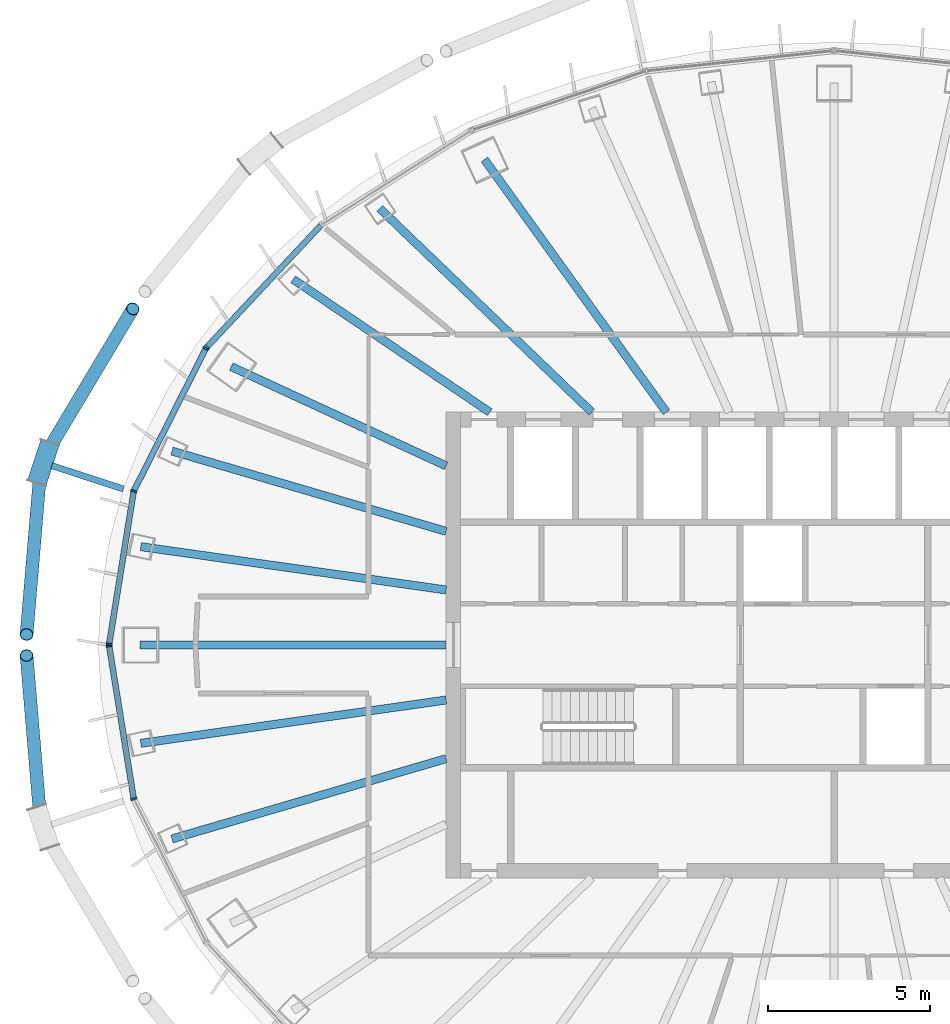
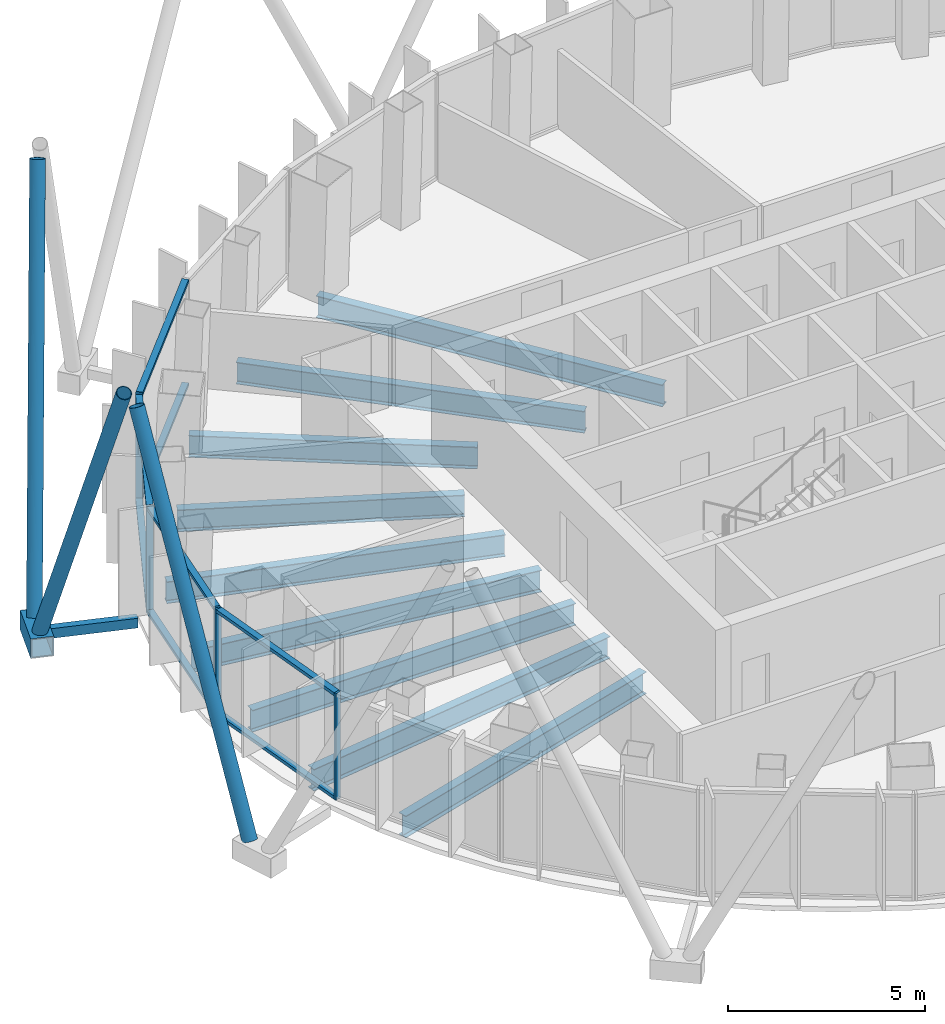
# One storey, part 3 of 18: 19 members, 9 beams, 3 elements without a shape of their own.
"""IFC4 building model written with IfcOpenShell, lengths in metres."""

from ifc_helpers import new_model, si_unit, direction, frame, origin, origin_2d, place, context, subcontext, project, spatial, rectangle, hollow_rectangle, hollow_circle, i_section, extrude, material, layer, layer_set, material_profile, profile_set, type_object, element, aggregate, save


model = new_model("IFC4")

# Units and contexts
model_context = context("Model", 3, precision=1e-05, world=origin(), true_north=direction((0.0, 1.0)))
body_context = subcontext(model_context, "Body", "Model", "MODEL_VIEW")
ifc_project = project(units=[si_unit("LENGTHUNIT", "METRE"), si_unit("AREAUNIT", "SQUARE_METRE"), si_unit("VOLUMEUNIT", "CUBIC_METRE"), si_unit("PLANEANGLEUNIT", "RADIAN"), si_unit("MASSUNIT", "GRAM", prefix="KILO")], contexts=[model_context])

# Site, building, storey
site_placement = place(None, origin())
site = spatial("IfcSite", under=ifc_project, at=site_placement, CompositionType="ELEMENT")
building_placement = place(site_placement, origin())
building = spatial("IfcBuilding", under=site, at=building_placement, Name="Siaravel Broadcast Tower", CompositionType="ELEMENT")
storey_placement = place(building_placement, frame((0.0, 0.0, 201.5)))
storey = spatial("IfcBuildingStorey", under=building, at=storey_placement, Name="L49", CompositionType="ELEMENT", Elevation=201.5)

# Beams
ifc_material_1 = material(Name="Steel S355", Category="steel")
ifc_material_profile_1 = material_profile(ifc_material_1, i_section(OverallWidth=0.2529296875, OverallDepth=0.677978515625, WebThickness=0.01171875, FlangeThickness=0.01611328125, FilletRadius=0.01513671875, at=origin_2d()))
ifc_profile_set_1 = profile_set([ifc_material_profile_1], Name="Steel S355")
beam_type = type_object("IfcBeamType", Name="BM-UB 686x254x125", PredefinedType="BEAM", material=ifc_profile_set_1)
beam_1_placement = place(storey_placement, frame((-10.813720703125, 15.014892578125, -0.489013671875), z_axis=(0.584401555, -0.811464616, 0.0), x_axis=(0.811464616, 0.584401555, 0.0)))
element("IfcBeam", 1, at=beam_1_placement, inside=storey, type_object=beam_type, Name="Radial beam RB13", PredefinedType="BEAM", context=body_context, shape_type="SweptSolid", body=[
    extrude(i_section(OverallWidth=0.2529296875, OverallDepth=0.677978515625, WebThickness=0.01171875, FlangeThickness=0.01611328125, FilletRadius=0.01513671875, at=origin_2d()), origin(), (0.0, 0.0, 1.0), 9.630615234375),
])
beam_2_placement = place(storey_placement, frame((-14.053466796875, 13.501708984375, -0.489013671875), z_axis=(0.721123378, -0.692806664, 0.0), x_axis=(0.692806664, 0.721123378, 0.0)))
element("IfcBeam", 2, at=beam_2_placement, inside=storey, type_object=beam_type, Name="Radial beam RB14", PredefinedType="BEAM", context=body_context, shape_type="SweptSolid", body=[
    extrude(i_section(OverallWidth=0.2529296875, OverallDepth=0.677978515625, WebThickness=0.01171875, FlangeThickness=0.01611328125, FilletRadius=0.01513671875, at=origin_2d()), origin(), (0.0, 0.0, 1.0), 9.095947265625),
])
beam_3_placement = place(storey_placement, frame((-16.7294921875, 11.31005859375, -0.489013671875), z_axis=(0.82844504, -0.560070366, 0.0), x_axis=(0.560070366, 0.82844504, 0.0)))
element("IfcBeam", 3, at=beam_3_placement, inside=storey, type_object=beam_type, Name="Radial beam RB15", PredefinedType="BEAM", context=body_context, shape_type="SweptSolid", body=[
    extrude(i_section(OverallWidth=0.2529296875, OverallDepth=0.677978515625, WebThickness=0.01171875, FlangeThickness=0.01611328125, FilletRadius=0.01513671875, at=origin_2d()), origin(), (0.0, 0.0, 1.0), 7.338623046875),
])
beam_4_placement = place(storey_placement, frame((-18.6455078125, 8.609130859375, -0.489013671875), z_axis=(0.907896897, -0.419193541, 0.0), x_axis=(0.419193541, 0.907896897, 0.0)))
element("IfcBeam", 4, at=beam_4_placement, inside=storey, type_object=beam_type, Name="Radial beam RB16", PredefinedType="BEAM", context=body_context, shape_type="SweptSolid", body=[
    extrude(i_section(OverallWidth=0.2529296875, OverallDepth=0.677978515625, WebThickness=0.01171875, FlangeThickness=0.01611328125, FilletRadius=0.01513671875, at=origin_2d()), origin(), (0.0, 0.0, 1.0), 7.319580078125),
])
beam_5_placement = place(storey_placement, frame((-20.47607421875, 5.997802734375, -0.489013671875), z_axis=(0.95967304, -0.281118579, 0.0), x_axis=(0.281118579, 0.95967304, 0.0)))
element("IfcBeam", 5, at=beam_5_placement, inside=storey, type_object=beam_type, Name="Radial beam RB17", PredefinedType="BEAM", context=body_context, shape_type="SweptSolid", body=[
    extrude(i_section(OverallWidth=0.2529296875, OverallDepth=0.677978515625, WebThickness=0.01171875, FlangeThickness=0.01611328125, FilletRadius=0.01513671875, at=origin_2d()), origin(), (0.0, 0.0, 1.0), 8.832275390625),
])
beam_6_placement = place(storey_placement, frame((-21.443359375, 3.041748046875, -0.489013671875), z_axis=(0.990087752, -0.140450142, 0.0), x_axis=(0.140450142, 0.990087752, 0.0)))
element("IfcBeam", 6, at=beam_6_placement, inside=storey, type_object=beam_type, Name="Radial beam RB18", PredefinedType="BEAM", context=body_context, shape_type="SweptSolid", body=[
    extrude(i_section(OverallWidth=0.2529296875, OverallDepth=0.677978515625, WebThickness=0.01171875, FlangeThickness=0.01611328125, FilletRadius=0.01513671875, at=origin_2d()), origin(), (0.0, 0.0, 1.0), 9.537841796875),
])
beam_7_placement = place(storey_placement, frame((-21.46826171875, 0.0, -0.489013671875), z_axis=(1.0, 0.0, 0.0), x_axis=(0.0, 1.0, 0.0)))
element("IfcBeam", 7, at=beam_7_placement, inside=storey, type_object=beam_type, Name="Radial beam RB19", PredefinedType="BEAM", context=body_context, shape_type="SweptSolid", body=[
    extrude(i_section(OverallWidth=0.2529296875, OverallDepth=0.677978515625, WebThickness=0.01171875, FlangeThickness=0.01611328125, FilletRadius=0.01513671875, at=origin_2d()), origin(), (0.0, 0.0, 1.0), 9.46826171875),
])
beam_8_placement = place(storey_placement, frame((-21.443359375, -3.041748046875, -0.489013671875), z_axis=(0.990087752, 0.140450142, 0.0), x_axis=(-0.140450142, 0.990087752, 0.0)))
element("IfcBeam", 8, at=beam_8_placement, inside=storey, type_object=beam_type, Name="Radial beam RB20", PredefinedType="BEAM", context=body_context, shape_type="SweptSolid", body=[
    extrude(i_section(OverallWidth=0.2529296875, OverallDepth=0.677978515625, WebThickness=0.01171875, FlangeThickness=0.01611328125, FilletRadius=0.01513671875, at=origin_2d()), origin(), (0.0, 0.0, 1.0), 9.537841796875),
])
beam_9_placement = place(storey_placement, frame((-20.47607421875, -5.997802734375, -0.489013671875), z_axis=(0.95967304, 0.281118579, 0.0), x_axis=(-0.281118579, 0.95967304, 0.0)))
element("IfcBeam", 9, at=beam_9_placement, inside=storey, type_object=beam_type, Name="Radial beam RB21", PredefinedType="BEAM", context=body_context, shape_type="SweptSolid", body=[
    extrude(i_section(OverallWidth=0.2529296875, OverallDepth=0.677978515625, WebThickness=0.01171875, FlangeThickness=0.01611328125, FilletRadius=0.01513671875, at=origin_2d()), origin(), (0.0, 0.0, 1.0), 8.832275390625),
])

# Curtain wall, member
ifc_material_2 = material(Name="Aluminium 6063-T6", Category="aluminium")
ifc_layer = layer(ifc_material_2, 0.179931640625)
ifc_layer_set = layer_set([ifc_layer], Name="Aluminium 6063-T6")
curtain_wall_type = type_object("IfcCurtainWallType", Name="Unitised curtain wall, zone 3", PredefinedType="NOTDEFINED", material=ifc_layer_set)
curtain_wall_1_placement = place(storey_placement, origin())
curtain_wall_1 = element("IfcCurtainWall", 10, at=curtain_wall_1_placement, inside=storey, type_object=curtain_wall_type, Name="L49 Unitised curtain wall, zone 3 05", PredefinedType="NOTDEFINED")
ifc_material_profile_2 = material_profile(ifc_material_2, rectangle(XDim=0.179931640625, YDim=0.06005859375, at=origin_2d()))
ifc_profile_set_2 = profile_set([ifc_material_profile_2], Name="Aluminium 6063-T6")
member_type_1 = type_object("IfcMemberType", Name="CW-Z3 mullion", PredefinedType="MULLION", material=ifc_profile_set_2)
member_1_placement = place(storey_placement, frame((-19.398681640625, 9.215087890625, 0.0), z_axis=(0.0, 0.0, 1.0), x_axis=(0.729807165, -0.683653057, 0.0)))
member_1 = element("IfcMember", 11, at=member_1_placement, type_object=member_type_1, Name="CW-Z3 mullion 3", PredefinedType="MULLION", context=body_context, shape_type="SweptSolid", body=[
    extrude(rectangle(XDim=0.179931640625, YDim=0.06005859375, at=origin_2d()), origin(), (0.0, 0.0, 1.0), 3.300048828125),
])

# Curtain wall, members
curtain_wall_2_placement = place(storey_placement, origin())
curtain_wall_2 = element("IfcCurtainWall", 12, at=curtain_wall_2_placement, inside=storey, type_object=curtain_wall_type, Name="L49 Unitised curtain wall, zone 3 06", PredefinedType="NOTDEFINED")
member_2_placement = place(storey_placement, frame((-19.4326171875, 9.166259765625, 0.0), z_axis=(0.0, 0.0, 1.0), x_axis=(0.892393176, -0.451258705, 0.0)))
member_2 = element("IfcMember", 13, at=member_2_placement, type_object=member_type_1, Name="CW-Z3 mullion 1", PredefinedType="MULLION", context=body_context, shape_type="SweptSolid", body=[
    extrude(rectangle(XDim=0.179931640625, YDim=0.06005859375, at=origin_2d()), origin(), (0.0, 0.0, 1.0), 3.300048828125),
])
member_3_placement = place(storey_placement, frame((-21.6611328125, 4.75927734375, 0.0), z_axis=(0.0, 0.0, 1.0), x_axis=(0.951177741, -0.308643655, 0.0)))
member_3 = element("IfcMember", 14, at=member_3_placement, type_object=member_type_1, Name="CW-Z3 mullion 2", PredefinedType="MULLION", context=body_context, shape_type="SweptSolid", body=[
    extrude(rectangle(XDim=0.179931640625, YDim=0.06005859375, at=origin_2d()), origin(), (0.0, 0.0, 1.0), 3.300048828125),
])
member_4_placement = place(storey_placement, frame((-22.42138671875, 0.029541015625, 0.0), z_axis=(0.0, 0.0, 1.0), x_axis=(0.987329337, -0.158684528, 0.0)))
member_4 = element("IfcMember", 15, at=member_4_placement, type_object=member_type_1, Name="CW-Z3 mullion 3", PredefinedType="MULLION", context=body_context, shape_type="SweptSolid", body=[
    extrude(rectangle(XDim=0.179931640625, YDim=0.06005859375, at=origin_2d()), origin(), (0.0, 0.0, 1.0), 3.300048828125),
])

curtain_wall_3_placement = place(storey_placement, origin())
curtain_wall_3 = element("IfcCurtainWall", 16, at=curtain_wall_3_placement, inside=storey, type_object=curtain_wall_type, Name="L49 Unitised curtain wall, zone 3 07", PredefinedType="NOTDEFINED")
member_5_placement = place(storey_placement, frame((-22.42138671875, -0.029541015625, 0.0), z_axis=(0.0, 0.0, 1.0), x_axis=(0.987329337, 0.158684528, 0.0)))
member_5 = element("IfcMember", 17, at=member_5_placement, type_object=member_type_1, Name="CW-Z3 mullion 1", PredefinedType="MULLION", context=body_context, shape_type="SweptSolid", body=[
    extrude(rectangle(XDim=0.179931640625, YDim=0.06005859375, at=origin_2d()), origin(), (0.0, 0.0, 1.0), 3.300048828125),
])
member_6_placement = place(storey_placement, frame((-21.6611328125, -4.75927734375, 0.0), z_axis=(0.0, 0.0, 1.0), x_axis=(0.951177741, 0.308643655, 0.0)))
member_6 = element("IfcMember", 18, at=member_6_placement, type_object=member_type_1, Name="CW-Z3 mullion 2", PredefinedType="MULLION", context=body_context, shape_type="SweptSolid", body=[
    extrude(rectangle(XDim=0.179931640625, YDim=0.06005859375, at=origin_2d()), origin(), (0.0, 0.0, 1.0), 3.300048828125),
])

# Member
ifc_material_profile_3 = material_profile(ifc_material_2, rectangle(XDim=0.179931640625, YDim=0.10009765625, at=origin_2d()))
ifc_profile_set_3 = profile_set([ifc_material_profile_3], Name="Aluminium 6063-T6")
member_type_2 = type_object("IfcMemberType", Name="CW-Z3 transom", PredefinedType="USERDEFINED", material=ifc_profile_set_3)
member_7_placement = place(storey_placement, frame((-15.87451171875, 12.97705078125, 0.050048828125), z_axis=(-0.683649503, -0.729810494, 0.0), x_axis=(0.729810494, -0.683649503, 0.0)))
member_7 = element("IfcMember", 19, at=member_7_placement, type_object=member_type_2, Name="CW-Z3 transom 2", ObjectType="TRANSOM", PredefinedType="USERDEFINED", context=body_context, shape_type="SweptSolid", body=[
    extrude(rectangle(XDim=0.179931640625, YDim=0.10009765625, at=origin_2d()), origin(), (0.0, 0.0, 1.0), 5.125),
])

member_8_placement = place(storey_placement, frame((-15.87451171875, 12.97705078125, 3.25), z_axis=(-0.683649503, -0.729810494, 0.0), x_axis=(0.729810494, -0.683649503, 0.0)))
member_8 = element("IfcMember", 20, at=member_8_placement, type_object=member_type_2, Name="CW-Z3 transom 2", ObjectType="TRANSOM", PredefinedType="USERDEFINED", context=body_context, shape_type="SweptSolid", body=[
    extrude(rectangle(XDim=0.179931640625, YDim=0.10009765625, at=origin_2d()), origin(), (0.0, 0.0, 1.0), 5.125),
])

aggregate(curtain_wall_1, [member_1, member_7, member_8])

member_9_placement = place(storey_placement, frame((-19.4462890625, 9.1396484375, 0.050048828125), z_axis=(-0.451252633, -0.892396247, 0.0), x_axis=(0.892396247, -0.451252633, 0.0)))
member_9 = element("IfcMember", 21, at=member_9_placement, type_object=member_type_2, Name="CW-Z3 transom 1", ObjectType="TRANSOM", PredefinedType="USERDEFINED", context=body_context, shape_type="SweptSolid", body=[
    extrude(rectangle(XDim=0.179931640625, YDim=0.10009765625, at=origin_2d()), origin(), (0.0, 0.0, 1.0), 4.87841796875),
])

member_10_placement = place(storey_placement, frame((-19.4462890625, 9.1396484375, 3.25), z_axis=(-0.451252633, -0.892396247, 0.0), x_axis=(0.892396247, -0.451252633, 0.0)))
member_10 = element("IfcMember", 22, at=member_10_placement, type_object=member_type_2, Name="CW-Z3 transom 1", ObjectType="TRANSOM", PredefinedType="USERDEFINED", context=body_context, shape_type="SweptSolid", body=[
    extrude(rectangle(XDim=0.179931640625, YDim=0.10009765625, at=origin_2d()), origin(), (0.0, 0.0, 1.0), 4.87841796875),
])

member_11_placement = place(storey_placement, frame((-21.666015625, 4.729736328125, 0.050048828125), z_axis=(-0.158646652, -0.987335424, 0.0), x_axis=(0.987335424, -0.158646652, 0.0)))
member_11 = element("IfcMember", 23, at=member_11_placement, type_object=member_type_2, Name="CW-Z3 transom 2", ObjectType="TRANSOM", PredefinedType="USERDEFINED", context=body_context, shape_type="SweptSolid", body=[
    extrude(rectangle(XDim=0.179931640625, YDim=0.10009765625, at=origin_2d()), origin(), (0.0, 0.0, 1.0), 4.73046875),
])

member_12_placement = place(storey_placement, frame((-21.666015625, 4.729736328125, 3.25), z_axis=(-0.158646652, -0.987335424, 0.0), x_axis=(0.987335424, -0.158646652, 0.0)))
member_12 = element("IfcMember", 24, at=member_12_placement, type_object=member_type_2, Name="CW-Z3 transom 2", ObjectType="TRANSOM", PredefinedType="USERDEFINED", context=body_context, shape_type="SweptSolid", body=[
    extrude(rectangle(XDim=0.179931640625, YDim=0.10009765625, at=origin_2d()), origin(), (0.0, 0.0, 1.0), 4.73046875),
])

aggregate(curtain_wall_2, [member_2, member_3, member_4, member_9, member_10, member_11, member_12])

member_13_placement = place(storey_placement, frame((-22.41650390625, -0.05908203125, 0.050048828125), z_axis=(0.158646652, -0.987335424, 0.0), x_axis=(0.987335424, 0.158646652, 0.0)))
member_13 = element("IfcMember", 25, at=member_13_placement, type_object=member_type_2, Name="CW-Z3 transom 1", ObjectType="TRANSOM", PredefinedType="USERDEFINED", context=body_context, shape_type="SweptSolid", body=[
    extrude(rectangle(XDim=0.179931640625, YDim=0.10009765625, at=origin_2d()), origin(), (0.0, 0.0, 1.0), 4.73046875),
])

member_14_placement = place(storey_placement, frame((-22.41650390625, -0.05908203125, 3.25), z_axis=(0.158646652, -0.987335424, 0.0), x_axis=(0.987335424, 0.158646652, 0.0)))
member_14 = element("IfcMember", 26, at=member_14_placement, type_object=member_type_2, Name="CW-Z3 transom 1", ObjectType="TRANSOM", PredefinedType="USERDEFINED", context=body_context, shape_type="SweptSolid", body=[
    extrude(rectangle(XDim=0.179931640625, YDim=0.10009765625, at=origin_2d()), origin(), (0.0, 0.0, 1.0), 4.73046875),
])

aggregate(curtain_wall_3, [member_5, member_6, member_13, member_14])

# Members
ifc_material_3 = material(Name="Steel S460", Category="steel")
ifc_material_profile_4 = material_profile(ifc_material_3, hollow_circle(Radius=0.203125, WallThickness=0.01611328125, at=origin_2d()))
ifc_profile_set_4 = profile_set([ifc_material_profile_4], Name="Steel S460")
member_type_3 = type_object("IfcMemberType", Name="Diagrid diagonal CHS 406.4x16", PredefinedType="BRACE", material=ifc_profile_set_4)
member_15_placement = place(storey_placement, frame((-24.355224609375, 5.941162109375, 0.070068359375), z_axis=(0.226514852, 0.378714243, 0.897366449), x_axis=(-0.858205618, 0.513306066, 0.0)))
element("IfcMember", 27, at=member_15_placement, inside=storey, type_object=member_type_3, Name="Diagrid diagonal R20 station 33C", PredefinedType="BRACE", context=body_context, shape_type="SweptSolid", body=[
    extrude(hollow_circle(Radius=0.203125, WallThickness=0.01611328125, at=origin_2d()), origin(), (0.0, 0.0, 1.0), 11.767578125),
])
for number, where, z_axis, x_axis, name in (
    (28, (-24.556396484375, 5.326171875, 0.070068359375), (-0.035893147, -0.427857173, 0.903133391), (0.996499658, -0.083596843, 0.0), "Diagrid diagonal R20 station 33A"),
    (29, (-24.556396484375, -5.326171875, 0.070068359375), (-0.035893147, 0.427857173, 0.903133391), (-0.996499658, -0.083596843, 0.0), "Diagrid diagonal R20 station 39C"),
):
    element("IfcMember", number, at=place(storey_placement, frame(where, z_axis=z_axis, x_axis=x_axis)), inside=storey, type_object=member_type_3, Name=name, PredefinedType="BRACE", context=body_context, shape_type="SweptSolid", body=[
        extrude(hollow_circle(Radius=0.203125, WallThickness=0.01611328125, at=origin_2d()), origin(), (0.0, 0.0, 1.0), 11.6923828125),
    ])
ifc_material_profile_5 = material_profile(ifc_material_3, hollow_rectangle(XDim=0.60009765625, YDim=0.60009765625, WallThickness=0.031982421875, at=origin_2d()))
ifc_profile_set_5 = profile_set([ifc_material_profile_5], Name="Steel S460")
member_type_4 = type_object("IfcMemberType", Name="Diagrid node BOX 600x600x32", PredefinedType="USERDEFINED", material=ifc_profile_set_5)
member_16_placement = place(storey_placement, frame((-24.2548828125, 6.248291015625, -0.199951171875), z_axis=(-0.310843783, -0.950461016, 0.0), x_axis=(0.950461016, -0.310843783, 0.0)))
element("IfcMember", 30, at=member_16_placement, inside=storey, type_object=member_type_4, Name="Diagrid node R20 station 33", ObjectType="DIAGRID NODE", PredefinedType="USERDEFINED", context=body_context, shape_type="SweptSolid", body=[
    extrude(hollow_rectangle(XDim=0.60009765625, YDim=0.60009765625, WallThickness=0.031982421875, at=origin_2d()), origin(), (0.0, 0.0, 1.0), 1.29345703125),
])
ifc_material_profile_6 = material_profile(ifc_material_3, hollow_rectangle(XDim=0.199951171875, YDim=0.300048828125, WallThickness=0.012451171875, at=origin_2d()))
ifc_profile_set_6 = profile_set([ifc_material_profile_6], Name="Steel S460")
member_type_5 = type_object("IfcMemberType", Name="Diagrid node arm RHS 300x200x12.5", PredefinedType="STRUT", material=ifc_profile_set_6)
member_17_placement = place(storey_placement, frame((-21.98486328125, 4.8251953125, -0.199951171875), z_axis=(-0.950439361, 0.310909987, 0.0), x_axis=(-0.310909987, -0.950439361, 0.0)))
element("IfcMember", 31, at=member_17_placement, inside=storey, type_object=member_type_5, Name="Node arm R20 station 33", PredefinedType="STRUT", context=body_context, shape_type="SweptSolid", body=[
    extrude(hollow_rectangle(XDim=0.199951171875, YDim=0.300048828125, WallThickness=0.012451171875, at=origin_2d()), origin(), (0.0, 0.0, 1.0), 2.329833984375),
])

save(model, "model.ifc")
